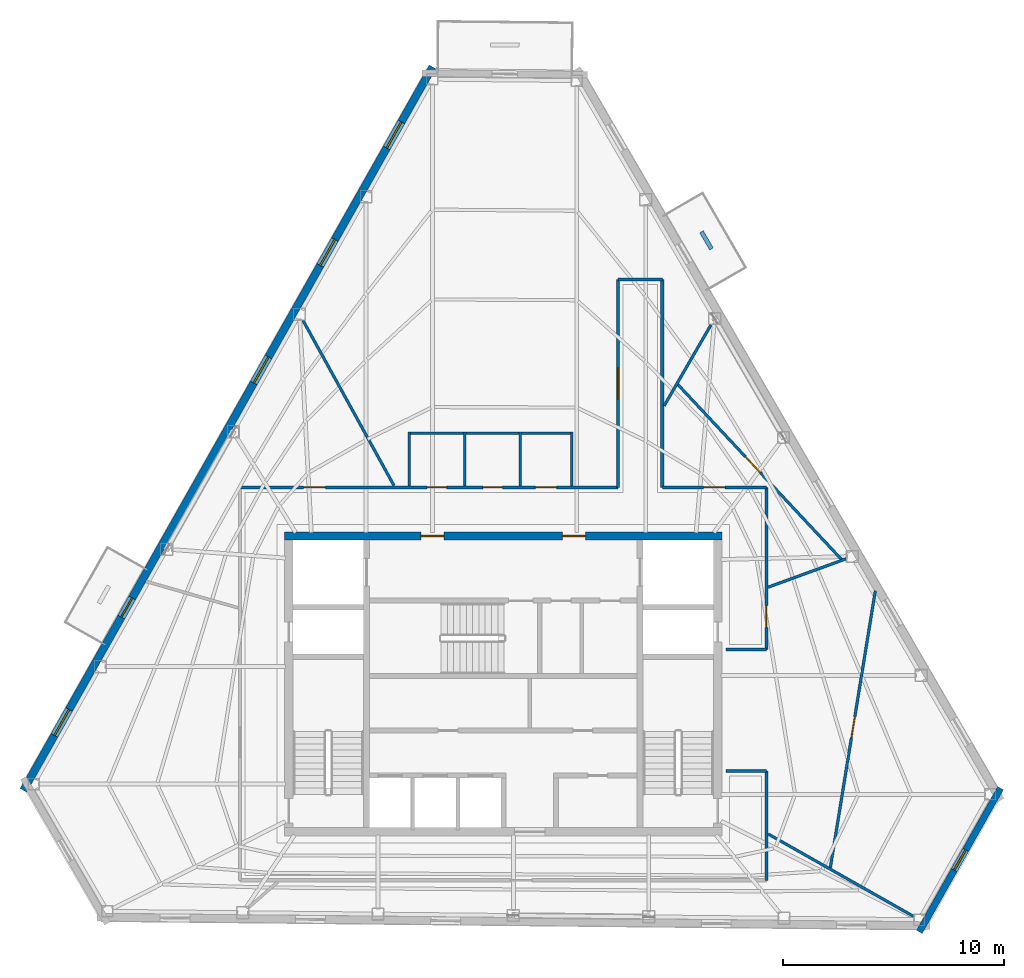
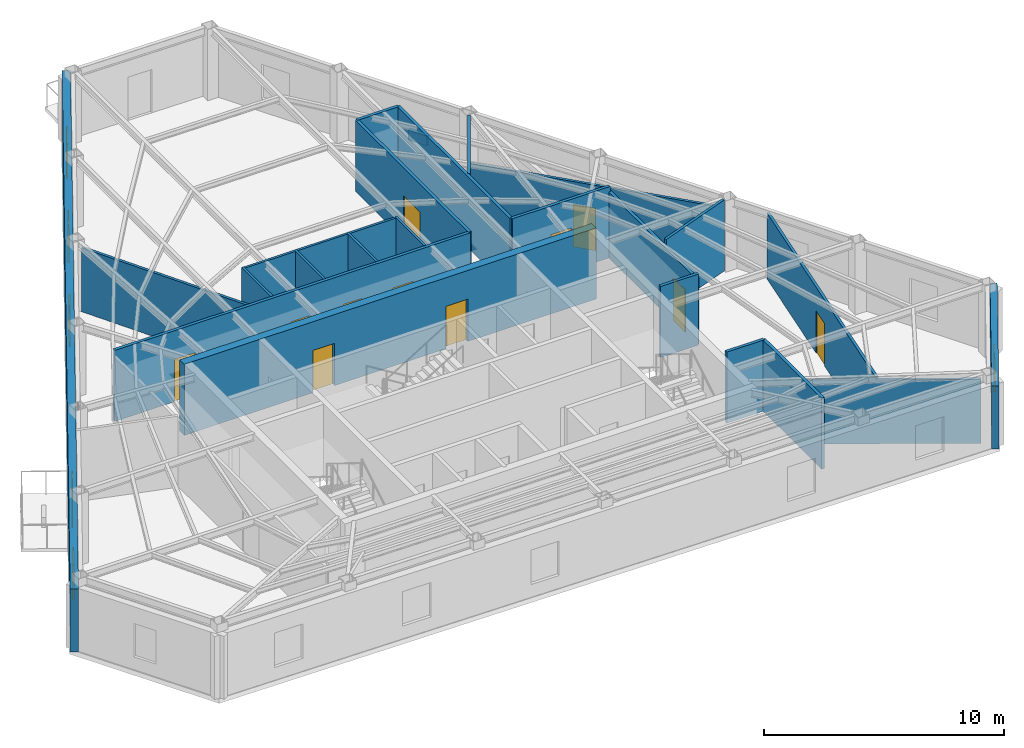
# One storey, part 6 of 10: 24 walls, 12 doors, 5 windows, 17 openings.
"""IFC4 building model written with IfcOpenShell, lengths in metres."""

from ifc_helpers import new_model, si_unit, direction, frame, frame_2d, origin, place, context, subcontext, project, spatial, rectangle, extrude, material, layer, layer_set, type_object, element, fill, save


model = new_model("IFC4")

# Units and contexts
model_context = context("Model", 3, precision=1e-05, world=origin(), true_north=direction((0.0, 1.0)))
body_context = subcontext(model_context, "Body", "Model", "MODEL_VIEW")
ifc_project = project(units=[si_unit("LENGTHUNIT", "METRE"), si_unit("AREAUNIT", "SQUARE_METRE"), si_unit("VOLUMEUNIT", "CUBIC_METRE"), si_unit("PLANEANGLEUNIT", "RADIAN"), si_unit("MASSUNIT", "GRAM", prefix="KILO")], contexts=[model_context])

# Site, building, storey
site_placement = place(None, origin())
site = spatial("IfcSite", under=ifc_project, at=site_placement, CompositionType="ELEMENT")
building_placement = place(site_placement, origin())
building = spatial("IfcBuilding", under=site, at=building_placement, Name="Kavelnor Concourse Tower", CompositionType="ELEMENT")
storey_placement = place(building_placement, frame((0.0, 0.0, 247.199951171875)))
storey = spatial("IfcBuildingStorey", under=building, at=storey_placement, Name="L62", CompositionType="ELEMENT", Elevation=247.199951171875)

# Wall, openings, doors
ifc_material_1 = material(Name="Concrete C50/60", Category="concrete")
ifc_layer_1 = layer(ifc_material_1, 0.3798828125, Name="Concrete C50/60")
ifc_layer_set_1 = layer_set([ifc_layer_1], Name="Concrete C50/60")
wall_type_1 = type_object("IfcWallType", Name="WL-CORE-Z4-380", PredefinedType="SOLIDWALL", material=ifc_layer_set_1)
wall_1_placement = place(storey_placement, frame((28.10009765625, 22.7900390625, 0.0), z_axis=(0.0, 0.0, 1.0), x_axis=(1.0, 0.0, 0.0)))
wall_1 = element("IfcWall", 1, at=wall_1_placement, inside=storey, type_object=wall_type_1, Name="L62 Central Core North Shear Wall", PredefinedType="SOLIDWALL", context=body_context, shape_type="SweptSolid", body=[
    extrude(rectangle(XDim=19.7998046875, YDim=0.3798828125, at=frame_2d((9.89990234375, 0.0))), origin(), (0.0, 0.0, 1.0), 3.610107421875),
])
opening_1_placement = place(wall_1_placement, frame((6.175048828125, 0.0, 0.0)))
opening_1 = element("IfcOpeningElement", 2, at=opening_1_placement, cuts=wall_1, Name="Opening FD-105", PredefinedType="OPENING", context=body_context, shape_type="SweptSolid", body=[
    extrude(rectangle(XDim=1.050048828125, YDim=2.14990234375, at=frame_2d((0.52490234375, 1.074951171875))), frame((0.0, 0.199951171875, 0.0), z_axis=(0.0, -1.0, 0.0), x_axis=(1.0, 0.0, 0.0)), (0.0, 0.0, 1.0), 0.39990234375),
])
opening_2_placement = place(wall_1_placement, frame((12.574951171875, 0.0, 0.0)))
opening_2 = element("IfcOpeningElement", 3, at=opening_2_placement, cuts=wall_1, Name="Opening FD-105", PredefinedType="OPENING", context=body_context, shape_type="SweptSolid", body=[
    extrude(rectangle(XDim=1.050048828125, YDim=2.14990234375, at=frame_2d((0.52490234375, 1.074951171875))), frame((0.0, 0.199951171875, 0.0), z_axis=(0.0, -1.0, 0.0), x_axis=(1.0, 0.0, 0.0)), (0.0, 0.0, 1.0), 0.39990234375),
])
ifc_material_2 = material(Name="Steel Grade 350", Category="steel")
door_type_1 = type_object("IfcDoorType", Name="DR-LOBBY-FIRE-1050", OperationType="NOTDEFINED", PredefinedType="DOOR", material=ifc_material_2)
door_1_placement = place(opening_1_placement, origin())
door_1 = element("IfcDoor", 4, at=door_1_placement, inside=storey, type_object=door_type_1, Name="L62 Emergency Lift Lobby West Door", OperationType="SINGLE_SWING_LEFT", OverallHeight=2.14990234375, OverallWidth=1.050048828125, PredefinedType="DOOR", context=body_context, shape_type="SweptSolid", body=[
    extrude(rectangle(XDim=1.050048828125, YDim=2.14990234375, at=frame_2d((0.52490234375, 1.074951171875))), frame((0.0, 0.02490234375, 0.0), z_axis=(0.0, -1.0, 0.0), x_axis=(1.0, 0.0, 0.0)), (0.0, 0.0, 1.0), 0.050048828125),
])
fill(opening_1, door_1)
door_2_placement = place(opening_2_placement, origin())
door_2 = element("IfcDoor", 5, at=door_2_placement, inside=storey, type_object=door_type_1, Name="L62 Emergency Lift Lobby East Door", OperationType="SINGLE_SWING_RIGHT", OverallHeight=2.14990234375, OverallWidth=1.050048828125, PredefinedType="DOOR", context=body_context, shape_type="SweptSolid", body=[
    extrude(rectangle(XDim=1.050048828125, YDim=2.14990234375, at=frame_2d((0.52490234375, 1.074951171875))), frame((0.0, 0.02490234375, 0.0), z_axis=(0.0, -1.0, 0.0), x_axis=(1.0, 0.0, 0.0)), (0.0, 0.0, 1.0), 0.050048828125),
])
fill(opening_2, door_2)

# Wall, opening, window
ifc_material_3 = material(Name="Buff ironspot clay face brick masonry", Category="masonry")
ifc_layer_2 = layer(ifc_material_3, 0.300048828125, Name="Buff ironspot clay face brick masonry")
ifc_layer_set_2 = layer_set([ifc_layer_2], Name="Buff ironspot clay face brick masonry")
wall_type_2 = type_object("IfcWallType", Name="WL-EXT-BUFF-BRICK-FOLD-300", PredefinedType="STANDARD", material=ifc_layer_set_2)
wall_2_placement = place(storey_placement, frame((60.509765625, 11.379150390625, 0.0), z_axis=(0.0, 0.0, 1.0), x_axis=(-0.492274685031, -0.870439908597, 0.0)))
wall_2 = element("IfcWall", 6, at=wall_2_placement, inside=storey, type_object=wall_type_2, Name="L62 Exterior Brick Facade Wall E4", PredefinedType="STANDARD", context=body_context, shape_type="SweptSolid", body=[
    extrude(rectangle(XDim=7.473388671875, YDim=0.300048828125, at=frame_2d((3.73681640625, 0.0))), origin(), (0.0, 0.0, 1.0), 3.196044921875),
])
opening_3_placement = place(wall_2_placement, frame((3.211669921875, 0.0, 0.64990234375)))
opening_3 = element("IfcOpeningElement", 7, at=opening_3_placement, cuts=wall_2, Name="Opening W-06", PredefinedType="OPENING", context=body_context, shape_type="SweptSolid", body=[
    extrude(rectangle(XDim=1.050048828125, YDim=1.699951171875, at=frame_2d((0.52490234375, 0.85009765625))), frame((0.0, 0.16015625, 0.0), z_axis=(0.0, -1.0, 0.0), x_axis=(1.0, 0.0, 0.0)), (0.0, 0.0, 1.0), 0.320068359375),
])
ifc_material_4 = material(Name="Double low-E argon insulated glazing", Category="glass")
window_type_1 = type_object("IfcWindowType", Name="WIN-FOLD-1050", PartitioningType="SINGLE_PANEL", PredefinedType="WINDOW", material=ifc_material_4)
window_1_placement = place(opening_3_placement, origin())
window_1 = element("IfcWindow", 8, at=window_1_placement, inside=storey, type_object=window_type_1, Name="L62 Chamfer-Fold Facet Window C2", OverallHeight=1.699951171875, OverallWidth=1.050048828125, PartitioningType="SINGLE_PANEL", PredefinedType="WINDOW", context=body_context, shape_type="SweptSolid", body=[
    extrude(rectangle(XDim=1.050048828125, YDim=1.699951171875, at=frame_2d((0.52490234375, 0.85009765625))), frame((0.0, 0.030029296875, 0.0), z_axis=(0.0, -1.0, 0.0), x_axis=(1.0, 0.0, 0.0)), (0.0, 0.0, 1.0), 0.06005859375),
])
fill(opening_3, window_1)

# Wall, openings, door, windows
ifc_material_5 = material(Name="Red-ochre clay face brick masonry", Category="masonry")
ifc_layer_3 = layer(ifc_material_5, 0.35009765625, Name="Red-ochre clay face brick masonry")
ifc_layer_set_3 = layer_set([ifc_layer_3], Name="Red-ochre clay face brick masonry")
wall_type_3 = type_object("IfcWallType", Name="WL-EXT-RED-BRICK-PIER-350", PredefinedType="STANDARD", material=ifc_layer_set_3)
wall_3_placement = place(storey_placement, frame((16.281982421875, 11.28125, 0.0), z_axis=(0.0, 0.0, 1.0), x_axis=(0.492304911919, 0.870422813178, 0.0)))
wall_3 = element("IfcWall", 9, at=wall_3_placement, inside=storey, type_object=wall_type_3, Name="L62 Exterior Brick Facade Wall E1", PredefinedType="STANDARD", context=body_context, shape_type="SweptSolid", body=[
    extrude(rectangle(XDim=37.613037109375, YDim=0.35009765625, at=frame_2d((18.806640625, 0.0))), origin(), (0.0, 0.0, 1.0), 3.196044921875),
])
opening_4_placement = place(wall_3_placement, frame((9.00341796875, 0.0, 0.0)))
opening_4 = element("IfcOpeningElement", 10, at=opening_4_placement, cuts=wall_3, Name="Opening BD-100", PredefinedType="OPENING", context=body_context, shape_type="SweptSolid", body=[
    extrude(rectangle(XDim=1.0, YDim=2.199951171875, at=frame_2d((0.5, 1.10009765625))), frame((0.0, 0.18505859375, 0.0), z_axis=(0.0, -1.0, 0.0), x_axis=(1.0, 0.0, 0.0)), (0.0, 0.0, 1.0), 0.3701171875),
])
opening_5_placement = place(wall_3_placement, frame((33.400146484375, 0.0, 0.64990234375)))
opening_5 = element("IfcOpeningElement", 11, at=opening_5_placement, cuts=wall_3, Name="Opening W-04", PredefinedType="OPENING", context=body_context, shape_type="SweptSolid", body=[
    extrude(rectangle(XDim=1.35009765625, YDim=1.75, at=frame_2d((0.675048828125, 0.875))), frame((0.0, 0.18505859375, 0.0), z_axis=(0.0, -1.0, 0.0), x_axis=(1.0, 0.0, 0.0)), (0.0, 0.0, 1.0), 0.3701171875),
])
opening_6_placement = place(wall_3_placement, frame((27.291015625, 0.0, 0.64990234375)))
opening_6 = element("IfcOpeningElement", 12, at=opening_6_placement, cuts=wall_3, Name="Opening W-04", PredefinedType="OPENING", context=body_context, shape_type="SweptSolid", body=[
    extrude(rectangle(XDim=1.35009765625, YDim=1.75, at=frame_2d((0.675048828125, 0.875))), frame((0.0, 0.18505859375, 0.0), z_axis=(0.0, -1.0, 0.0), x_axis=(1.0, 0.0, 0.0)), (0.0, 0.0, 1.0), 0.3701171875),
])
opening_7_placement = place(wall_3_placement, frame((21.181884765625, 0.0, 0.64990234375)))
opening_7 = element("IfcOpeningElement", 13, at=opening_7_placement, cuts=wall_3, Name="Opening W-04", PredefinedType="OPENING", context=body_context, shape_type="SweptSolid", body=[
    extrude(rectangle(XDim=1.35009765625, YDim=1.75, at=frame_2d((0.675048828125, 0.875))), frame((0.0, 0.18505859375, 0.0), z_axis=(0.0, -1.0, 0.0), x_axis=(1.0, 0.0, 0.0)), (0.0, 0.0, 1.0), 0.3701171875),
])
opening_8_placement = place(wall_3_placement, frame((2.8544921875, 0.0, 0.64990234375)))
opening_8 = element("IfcOpeningElement", 14, at=opening_8_placement, cuts=wall_3, Name="Opening W-04", PredefinedType="OPENING", context=body_context, shape_type="SweptSolid", body=[
    extrude(rectangle(XDim=1.35009765625, YDim=1.75, at=frame_2d((0.675048828125, 0.875))), frame((0.0, 0.18505859375, 0.0), z_axis=(0.0, -1.0, 0.0), x_axis=(1.0, 0.0, 0.0)), (0.0, 0.0, 1.0), 0.3701171875),
])
ifc_material_6 = material(Name="Anodised aluminium 6063-T6", Category="aluminium")
door_type_2 = type_object("IfcDoorType", Name="DR-BALCONY-EXT-1000", OperationType="NOTDEFINED", PredefinedType="DOOR", material=ifc_material_6)
door_3_placement = place(opening_4_placement, origin())
door_3 = element("IfcDoor", 15, at=door_3_placement, inside=storey, type_object=door_type_2, Name="L62 Tree Balcony 2 Glazed Door", OperationType="SINGLE_SWING_RIGHT", OverallHeight=2.199951171875, OverallWidth=1.0, PredefinedType="DOOR", context=body_context, shape_type="SweptSolid", body=[
    extrude(rectangle(XDim=1.0, YDim=2.199951171875, at=frame_2d((0.5, 1.10009765625))), frame((0.0, 0.02490234375, 0.0), z_axis=(0.0, -1.0, 0.0), x_axis=(1.0, 0.0, 0.0)), (0.0, 0.0, 1.0), 0.050048828125),
])
fill(opening_4, door_3)
window_type_2 = type_object("IfcWindowType", Name="WIN-PIER-Z4-1350", PartitioningType="SINGLE_PANEL", PredefinedType="WINDOW", material=ifc_material_4)
window_2_placement = place(opening_5_placement, origin())
window_2 = element("IfcWindow", 16, at=window_2_placement, inside=storey, type_object=window_type_2, Name="L62 Deep-Set Brick Pier Window F0-B0", OverallHeight=1.75, OverallWidth=1.35009765625, PartitioningType="SINGLE_PANEL", PredefinedType="WINDOW", context=body_context, shape_type="SweptSolid", body=[
    extrude(rectangle(XDim=1.35009765625, YDim=1.75, at=frame_2d((0.675048828125, 0.875))), frame((0.0, 0.030029296875, 0.0), z_axis=(0.0, -1.0, 0.0), x_axis=(1.0, 0.0, 0.0)), (0.0, 0.0, 1.0), 0.06005859375),
])
fill(opening_5, window_2)
window_3_placement = place(opening_6_placement, origin())
window_3 = element("IfcWindow", 17, at=window_3_placement, inside=storey, type_object=window_type_2, Name="L62 Deep-Set Brick Pier Window F0-B1", OverallHeight=1.75, OverallWidth=1.35009765625, PartitioningType="SINGLE_PANEL", PredefinedType="WINDOW", context=body_context, shape_type="SweptSolid", body=[
    extrude(rectangle(XDim=1.35009765625, YDim=1.75, at=frame_2d((0.675048828125, 0.875))), frame((0.0, 0.030029296875, 0.0), z_axis=(0.0, -1.0, 0.0), x_axis=(1.0, 0.0, 0.0)), (0.0, 0.0, 1.0), 0.06005859375),
])
fill(opening_6, window_3)
window_4_placement = place(opening_7_placement, origin())
window_4 = element("IfcWindow", 18, at=window_4_placement, inside=storey, type_object=window_type_2, Name="L62 Deep-Set Brick Pier Window F0-B2", OverallHeight=1.75, OverallWidth=1.35009765625, PartitioningType="SINGLE_PANEL", PredefinedType="WINDOW", context=body_context, shape_type="SweptSolid", body=[
    extrude(rectangle(XDim=1.35009765625, YDim=1.75, at=frame_2d((0.675048828125, 0.875))), frame((0.0, 0.030029296875, 0.0), z_axis=(0.0, -1.0, 0.0), x_axis=(1.0, 0.0, 0.0)), (0.0, 0.0, 1.0), 0.06005859375),
])
fill(opening_7, window_4)
window_5_placement = place(opening_8_placement, origin())
window_5 = element("IfcWindow", 19, at=window_5_placement, inside=storey, type_object=window_type_2, Name="L62 Deep-Set Brick Pier Window F0-B5", OverallHeight=1.75, OverallWidth=1.35009765625, PartitioningType="SINGLE_PANEL", PredefinedType="WINDOW", context=body_context, shape_type="SweptSolid", body=[
    extrude(rectangle(XDim=1.35009765625, YDim=1.75, at=frame_2d((0.675048828125, 0.875))), frame((0.0, 0.030029296875, 0.0), z_axis=(0.0, -1.0, 0.0), x_axis=(1.0, 0.0, 0.0)), (0.0, 0.0, 1.0), 0.06005859375),
])
fill(opening_8, window_5)

# Wall, opening, door
ifc_material_7 = material(Name="Gypsum plasterboard on light-gauge steel studs", Category="steel")
ifc_layer_4 = layer(ifc_material_7, 0.14501953125, Name="Gypsum plasterboard on light-gauge steel studs")
ifc_layer_set_4 = layer_set([ifc_layer_4], Name="Gypsum plasterboard on light-gauge steel studs")
wall_type_4 = type_object("IfcWallType", Name="WL-INT-CORR-145", PredefinedType="PARTITIONING", material=ifc_layer_set_4)
wall_4_placement = place(storey_placement, frame((43.199951171875, 24.989990234375, 0.0), z_axis=(0.0, 0.0, 1.0), x_axis=(0.0, 1.0, 0.0)))
wall_4 = element("IfcWall", 20, at=wall_4_placement, inside=storey, type_object=wall_type_4, Name="L62 Corridor Wall WL-L62-CR-01", PredefinedType="PARTITIONING", context=body_context, shape_type="SweptSolid", body=[
    extrude(rectangle(XDim=9.409912109375, YDim=0.14501953125, at=frame_2d((4.705078125, 0.0))), origin(), (0.0, 0.0, 1.0), 3.610107421875),
])
opening_9_placement = place(wall_4_placement, frame((4.0048828125, 0.0, 0.0)))
opening_9 = element("IfcOpeningElement", 21, at=opening_9_placement, cuts=wall_4, Name="Opening SD-140", PredefinedType="OPENING", context=body_context, shape_type="SweptSolid", body=[
    extrude(rectangle(XDim=1.39990234375, YDim=2.199951171875, at=frame_2d((0.699951171875, 1.10009765625))), frame((0.0, 0.08251953125, 0.0), z_axis=(0.0, -1.0, 0.0), x_axis=(1.0, 0.0, 0.0)), (0.0, 0.0, 1.0), 0.1650390625),
])
ifc_material_8 = material(Name="Solid-core hardwood timber", Category="wood")
door_type_3 = type_object("IfcDoorType", Name="DR-SUITE-ENTRY-1400", OperationType="NOTDEFINED", PredefinedType="DOOR", material=ifc_material_8)
door_4_placement = place(opening_9_placement, origin())
door_4 = element("IfcDoor", 22, at=door_4_placement, inside=storey, type_object=door_type_3, Name="L62 Staff Breakout Pantry 03 Door", OperationType="SINGLE_SWING_RIGHT", OverallHeight=2.199951171875, OverallWidth=1.39990234375, PredefinedType="DOOR", context=body_context, shape_type="SweptSolid", body=[
    extrude(rectangle(XDim=1.39990234375, YDim=2.199951171875, at=frame_2d((0.699951171875, 1.10009765625))), frame((0.0, 0.02490234375, 0.0), z_axis=(0.0, -1.0, 0.0), x_axis=(1.0, 0.0, 0.0)), (0.0, 0.0, 1.0), 0.050048828125),
])
fill(opening_9, door_4)

# Walls
wall_5_placement = place(storey_placement, frame((43.199951171875, 34.39990234375, 0.0), z_axis=(0.0, 0.0, 1.0), x_axis=(1.0, 0.0, 0.0)))
element("IfcWall", 23, at=wall_5_placement, inside=storey, type_object=wall_type_4, Name="L62 Corridor Wall WL-L62-CR-02", PredefinedType="PARTITIONING", context=body_context, shape_type="SweptSolid", body=[
    extrude(rectangle(XDim=2.0, YDim=0.14501953125, at=frame_2d((1.0, 0.0))), origin(), (0.0, 0.0, 1.0), 3.610107421875),
])
wall_6_placement = place(storey_placement, frame((45.199951171875, 34.39990234375, 0.0), z_axis=(0.0, 0.0, 1.0), x_axis=(0.0, -1.0, 0.0)))
element("IfcWall", 24, at=wall_6_placement, inside=storey, type_object=wall_type_4, Name="L62 Corridor Wall WL-L62-CR-03", PredefinedType="PARTITIONING", context=body_context, shape_type="SweptSolid", body=[
    extrude(rectangle(XDim=9.409912109375, YDim=0.14501953125, at=frame_2d((4.705078125, 0.0))), origin(), (0.0, 0.0, 1.0), 3.610107421875),
])

# Wall, opening, door
wall_7_placement = place(storey_placement, frame((45.199951171875, 24.989990234375, 0.0), z_axis=(0.0, 0.0, 1.0), x_axis=(1.0, 0.0, 0.0)))
wall_7 = element("IfcWall", 25, at=wall_7_placement, inside=storey, type_object=wall_type_4, Name="L62 Corridor Wall WL-L62-CR-04", PredefinedType="PARTITIONING", context=body_context, shape_type="SweptSolid", body=[
    extrude(rectangle(XDim=4.7099609375, YDim=0.14501953125, at=frame_2d((2.35498046875, 0.0))), origin(), (0.0, 0.0, 1.0), 3.610107421875),
])
opening_10_placement = place(wall_7_placement, frame((1.864990234375, 0.0, 0.0)))
opening_10 = element("IfcOpeningElement", 26, at=opening_10_placement, cuts=wall_7, Name="Opening OD-098", PredefinedType="OPENING", context=body_context, shape_type="SweptSolid", body=[
    extrude(rectangle(XDim=0.97998046875, YDim=2.14990234375, at=frame_2d((0.489990234375, 1.074951171875))), frame((0.0, 0.08251953125, 0.0), z_axis=(0.0, -1.0, 0.0), x_axis=(1.0, 0.0, 0.0)), (0.0, 0.0, 1.0), 0.1650390625),
])
door_type_4 = type_object("IfcDoorType", Name="DR-OFFICE-980", OperationType="NOTDEFINED", PredefinedType="DOOR", material=ifc_material_8)
door_5_placement = place(opening_10_placement, origin())
door_5 = element("IfcDoor", 27, at=door_5_placement, inside=storey, type_object=door_type_4, Name="L62 Architectural Design Studio 01 Door", OperationType="SINGLE_SWING_RIGHT", OverallHeight=2.14990234375, OverallWidth=0.97998046875, PredefinedType="DOOR", context=body_context, shape_type="SweptSolid", body=[
    extrude(rectangle(XDim=0.97998046875, YDim=2.14990234375, at=frame_2d((0.489990234375, 1.074951171875))), frame((0.0, 0.02490234375, 0.0), z_axis=(0.0, -1.0, 0.0), x_axis=(1.0, 0.0, 0.0)), (0.0, 0.0, 1.0), 0.050048828125),
])
fill(opening_10, door_5)

wall_8_placement = place(storey_placement, frame((49.909912109375, 24.989990234375, 0.0), z_axis=(0.0, 0.0, 1.0), x_axis=(0.0, -1.0, 0.0)))
wall_8 = element("IfcWall", 28, at=wall_8_placement, inside=storey, type_object=wall_type_4, Name="L62 Corridor Wall WL-L62-CR-05", PredefinedType="PARTITIONING", context=body_context, shape_type="SweptSolid", body=[
    extrude(rectangle(XDim=7.340087890625, YDim=0.14501953125, at=frame_2d((3.669921875, 0.0))), origin(), (0.0, 0.0, 1.0), 3.34912109375),
])
opening_11_placement = place(wall_8_placement, frame((5.35400390625, 0.0, 0.0)))
opening_11 = element("IfcOpeningElement", 29, at=opening_11_placement, cuts=wall_8, Name="Opening OD-098", PredefinedType="OPENING", context=body_context, shape_type="SweptSolid", body=[
    extrude(rectangle(XDim=0.97998046875, YDim=2.14990234375, at=frame_2d((0.489990234375, 1.074951171875))), frame((0.0, 0.08251953125, 0.0), z_axis=(0.0, -1.0, 0.0), x_axis=(1.0, 0.0, 0.0)), (0.0, 0.0, 1.0), 0.1650390625),
])
door_6_placement = place(opening_11_placement, origin())
door_6 = element("IfcDoor", 30, at=door_6_placement, inside=storey, type_object=door_type_4, Name="L62 Tenant Bookstore Retail Shop 07 Door", OperationType="SINGLE_SWING_RIGHT", OverallHeight=2.14990234375, OverallWidth=0.97998046875, PredefinedType="DOOR", context=body_context, shape_type="SweptSolid", body=[
    extrude(rectangle(XDim=0.97998046875, YDim=2.14990234375, at=frame_2d((0.489990234375, 1.074951171875))), frame((0.0, 0.02490234375, 0.0), z_axis=(0.0, -1.0, 0.0), x_axis=(1.0, 0.0, 0.0)), (0.0, 0.0, 1.0), 0.050048828125),
])
fill(opening_11, door_6)

# Walls
for number, where, z_axis, x_axis, name in (
    (31, (49.909912109375, 17.64990234375, 0.0), (0.0, 0.0, 1.0), (-1.0, 0.0, 0.0), "L62 Corridor Wall WL-L62-CR-06"),
    (32, (48.090087890625, 12.14990234375, 0.0), (0.0, 0.0, 1.0), (1.0, 0.0, 0.0), "L62 Corridor Wall WL-L62-CR-07"),
):
    element("IfcWall", number, at=place(storey_placement, frame(where, z_axis=z_axis, x_axis=x_axis)), inside=storey, type_object=wall_type_4, Name=name, PredefinedType="PARTITIONING", context=body_context, shape_type="SweptSolid", body=[
        extrude(rectangle(XDim=1.81982421875, YDim=0.14501953125, at=frame_2d((0.909912109375, 0.0))), origin(), (0.0, 0.0, 1.0), 3.610107421875),
    ])
wall_9_placement = place(storey_placement, frame((49.909912109375, 12.14990234375, 0.0), z_axis=(0.0, 0.0, 1.0), x_axis=(0.0, -1.0, 0.0)))
element("IfcWall", 33, at=wall_9_placement, inside=storey, type_object=wall_type_4, Name="L62 Corridor Wall WL-L62-CR-08", PredefinedType="PARTITIONING", context=body_context, shape_type="SweptSolid", body=[
    extrude(rectangle(XDim=4.93994140625, YDim=0.14501953125, at=frame_2d((2.469970703125, 0.0))), origin(), (0.0, 0.0, 1.0), 3.610107421875),
])

# Wall, openings, doors
wall_10_placement = place(storey_placement, frame((26.090087890625, 24.989990234375, 0.0), z_axis=(0.0, 0.0, 1.0), x_axis=(1.0, 0.0, 0.0)))
wall_10 = element("IfcWall", 34, at=wall_10_placement, inside=storey, type_object=wall_type_4, Name="L62 Corridor Wall WL-L62-CR-11", PredefinedType="PARTITIONING", context=body_context, shape_type="SweptSolid", body=[
    extrude(rectangle(XDim=17.10986328125, YDim=0.14501953125, at=frame_2d((8.554931640625, 0.0))), origin(), (0.0, 0.0, 1.0), 3.610107421875),
])
opening_12_placement = place(wall_10_placement, frame((8.469970703125, 0.0, 0.0)))
opening_12 = element("IfcOpeningElement", 35, at=opening_12_placement, cuts=wall_10, Name="Opening WD-088", PredefinedType="OPENING", context=body_context, shape_type="SweptSolid", body=[
    extrude(rectangle(XDim=0.8798828125, YDim=2.10009765625, at=frame_2d((0.43994140625, 1.050048828125))), frame((0.0, 0.08251953125, 0.0), z_axis=(0.0, -1.0, 0.0), x_axis=(1.0, 0.0, 0.0)), (0.0, 0.0, 1.0), 0.1650390625),
])
opening_13_placement = place(wall_10_placement, frame((10.989990234375, 0.0, 0.0)))
opening_13 = element("IfcOpeningElement", 36, at=opening_13_placement, cuts=wall_10, Name="Opening WD-088", PredefinedType="OPENING", context=body_context, shape_type="SweptSolid", body=[
    extrude(rectangle(XDim=0.8798828125, YDim=2.10009765625, at=frame_2d((0.43994140625, 1.050048828125))), frame((0.0, 0.08251953125, 0.0), z_axis=(0.0, -1.0, 0.0), x_axis=(1.0, 0.0, 0.0)), (0.0, 0.0, 1.0), 0.1650390625),
])
opening_14_placement = place(wall_10_placement, frame((13.3701171875, 0.0, 0.0)))
opening_14 = element("IfcOpeningElement", 37, at=opening_14_placement, cuts=wall_10, Name="Opening WD-096", PredefinedType="OPENING", context=body_context, shape_type="SweptSolid", body=[
    extrude(rectangle(XDim=0.9599609375, YDim=2.10009765625, at=frame_2d((0.47998046875, 1.050048828125))), frame((0.0, 0.08251953125, 0.0), z_axis=(0.0, -1.0, 0.0), x_axis=(1.0, 0.0, 0.0)), (0.0, 0.0, 1.0), 0.1650390625),
])
opening_15_placement = place(wall_10_placement, frame((2.87744140625, 0.0, 0.0)))
opening_15 = element("IfcOpeningElement", 38, at=opening_15_placement, cuts=wall_10, Name="Opening OD-098", PredefinedType="OPENING", context=body_context, shape_type="SweptSolid", body=[
    extrude(rectangle(XDim=0.97998046875, YDim=2.14990234375, at=frame_2d((0.489990234375, 1.074951171875))), frame((0.0, 0.08251953125, 0.0), z_axis=(0.0, -1.0, 0.0), x_axis=(1.0, 0.0, 0.0)), (0.0, 0.0, 1.0), 0.1650390625),
])
door_7_placement = place(opening_15_placement, origin())
door_7 = element("IfcDoor", 39, at=door_7_placement, inside=storey, type_object=door_type_4, Name="L62 Architectural Design Studio 04 Door", OperationType="SINGLE_SWING_LEFT", OverallHeight=2.14990234375, OverallWidth=0.97998046875, PredefinedType="DOOR", context=body_context, shape_type="SweptSolid", body=[
    extrude(rectangle(XDim=0.97998046875, YDim=2.14990234375, at=frame_2d((0.489990234375, 1.074951171875))), frame((0.0, 0.02490234375, 0.0), z_axis=(0.0, -1.0, 0.0), x_axis=(1.0, 0.0, 0.0)), (0.0, 0.0, 1.0), 0.050048828125),
])
fill(opening_15, door_7)
door_type_5 = type_object("IfcDoorType", Name="DR-WC-ACC-960", OperationType="NOTDEFINED", PredefinedType="DOOR", material=ifc_material_8)
door_8_placement = place(opening_14_placement, origin())
door_8 = element("IfcDoor", 40, at=door_8_placement, inside=storey, type_object=door_type_5, Name="L62 Accessible WC Door", OperationType="SINGLE_SWING_RIGHT", OverallHeight=2.10009765625, OverallWidth=0.9599609375, PredefinedType="DOOR", context=body_context, shape_type="SweptSolid", body=[
    extrude(rectangle(XDim=0.9599609375, YDim=2.10009765625, at=frame_2d((0.47998046875, 1.050048828125))), frame((0.0, 0.02490234375, 0.0), z_axis=(0.0, -1.0, 0.0), x_axis=(1.0, 0.0, 0.0)), (0.0, 0.0, 1.0), 0.050048828125),
])
fill(opening_14, door_8)
door_type_6 = type_object("IfcDoorType", Name="DR-WC-STD-880", OperationType="NOTDEFINED", PredefinedType="DOOR", material=ifc_material_8)
door_9_placement = place(opening_12_placement, origin())
door_9 = element("IfcDoor", 41, at=door_9_placement, inside=storey, type_object=door_type_6, Name="L62 Male WC Door", OperationType="SINGLE_SWING_RIGHT", OverallHeight=2.10009765625, OverallWidth=0.8798828125, PredefinedType="DOOR", context=body_context, shape_type="SweptSolid", body=[
    extrude(rectangle(XDim=0.8798828125, YDim=2.10009765625, at=frame_2d((0.43994140625, 1.050048828125))), frame((0.0, 0.02490234375, 0.0), z_axis=(0.0, -1.0, 0.0), x_axis=(1.0, 0.0, 0.0)), (0.0, 0.0, 1.0), 0.050048828125),
])
fill(opening_12, door_9)
door_10_placement = place(opening_13_placement, origin())
door_10 = element("IfcDoor", 42, at=door_10_placement, inside=storey, type_object=door_type_6, Name="L62 Female WC Door", OperationType="SINGLE_SWING_LEFT", OverallHeight=2.10009765625, OverallWidth=0.8798828125, PredefinedType="DOOR", context=body_context, shape_type="SweptSolid", body=[
    extrude(rectangle(XDim=0.8798828125, YDim=2.10009765625, at=frame_2d((0.43994140625, 1.050048828125))), frame((0.0, 0.02490234375, 0.0), z_axis=(0.0, -1.0, 0.0), x_axis=(1.0, 0.0, 0.0)), (0.0, 0.0, 1.0), 0.050048828125),
])
fill(opening_13, door_10)

# Walls
ifc_layer_5 = layer(ifc_material_7, 0.125, Name="Gypsum plasterboard on light-gauge steel studs")
ifc_layer_set_5 = layer_set([ifc_layer_5], Name="Gypsum plasterboard on light-gauge steel studs")
wall_type_5 = type_object("IfcWallType", Name="WL-INT-SUITE-125", PredefinedType="PARTITIONING", material=ifc_layer_set_5)
wall_11_placement = place(storey_placement, frame((49.990478515625, 20.474365234375, 0.0), z_axis=(0.0, 0.0, 1.0), x_axis=(0.939443445382, 0.342703972735, 0.0)))
element("IfcWall", 43, at=wall_11_placement, inside=storey, type_object=wall_type_5, Name="L62 Radial Suite Partition 01", PredefinedType="PARTITIONING", context=body_context, shape_type="SweptSolid", body=[
    extrude(rectangle(XDim=3.7529296875, YDim=0.125, at=frame_2d((1.87646484375, 0.0))), origin(), (0.0, 0.0, 1.0), 3.610107421875),
])
wall_12_placement = place(storey_placement, frame((45.280517578125, 28.68115234375, 0.0), z_axis=(0.0, 0.0, 1.0), x_axis=(0.500877108651, 0.8655184123, 0.0)))
element("IfcWall", 44, at=wall_12_placement, inside=storey, type_object=wall_type_5, Name="L62 Radial Suite Partition 02", PredefinedType="PARTITIONING", context=body_context, shape_type="SweptSolid", body=[
    extrude(rectangle(XDim=4.23291015625, YDim=0.125, at=frame_2d((2.116455078125, 0.0))), origin(), (0.0, 0.0, 1.0), 3.610107421875),
])
wall_13_placement = place(storey_placement, frame((33.057373046875, 25.070556640625, 0.0), z_axis=(0.0, 0.0, 1.0), x_axis=(-0.482588627841, 0.875847142074, 0.0)))
element("IfcWall", 45, at=wall_13_placement, inside=storey, type_object=wall_type_5, Name="L62 Radial Suite Partition 03", PredefinedType="PARTITIONING", context=body_context, shape_type="SweptSolid", body=[
    extrude(rectangle(XDim=8.532470703125, YDim=0.125, at=frame_2d((4.26611328125, 0.0))), origin(), (0.0, 0.0, 1.0), 3.24609375),
])
wall_14_placement = place(storey_placement, frame((49.990478515625, 9.305419921875, 0.0), z_axis=(0.0, 0.0, 1.0), x_axis=(0.870028652136, -0.49300116071, 0.0)))
element("IfcWall", 46, at=wall_14_placement, inside=storey, type_object=wall_type_5, Name="L62 Radial Suite Partition 06", PredefinedType="PARTITIONING", context=body_context, shape_type="SweptSolid", body=[
    extrude(rectangle(XDim=7.557373046875, YDim=0.125, at=frame_2d((3.77880859375, 0.0))), origin(), (0.0, 0.0, 1.0), 3.24609375),
])

# Wall, opening, door
wall_15_placement = place(storey_placement, frame((53.33056640625, 21.708984375, 0.0), z_axis=(0.0, 0.0, 1.0), x_axis=(-0.683203310533, 0.730228208491, 0.0)))
wall_15 = element("IfcWall", 47, at=wall_15_placement, inside=storey, type_object=wall_type_5, Name="L62 Suite Subdivision Partition 01", PredefinedType="PARTITIONING", context=body_context, shape_type="SweptSolid", body=[
    extrude(rectangle(XDim=10.9130859375, YDim=0.125, at=frame_2d((5.45654296875, 0.0))), origin(), (0.0, 0.0, 1.0), 3.34912109375),
])
opening_16_placement = place(wall_15_placement, frame((5.410888671875, 0.0, 0.0)))
opening_16 = element("IfcOpeningElement", 48, at=opening_16_placement, cuts=wall_15, Name="Opening OD-098", PredefinedType="OPENING", context=body_context, shape_type="SweptSolid", body=[
    extrude(rectangle(XDim=0.97998046875, YDim=2.14990234375, at=frame_2d((0.489990234375, 1.074951171875))), frame((0.0, 0.072509765625, 0.0), z_axis=(0.0, -1.0, 0.0), x_axis=(1.0, 0.0, 0.0)), (0.0, 0.0, 1.0), 0.14501953125),
])
door_11_placement = place(opening_16_placement, origin())
door_11 = element("IfcDoor", 49, at=door_11_placement, inside=storey, type_object=door_type_4, Name="L62 Building Staff Breakroom 02 Door", OperationType="SINGLE_SWING_LEFT", OverallHeight=2.14990234375, OverallWidth=0.97998046875, PredefinedType="DOOR", context=body_context, shape_type="SweptSolid", body=[
    extrude(rectangle(XDim=0.97998046875, YDim=2.14990234375, at=frame_2d((0.489990234375, 1.074951171875))), frame((0.0, 0.02490234375, 0.0), z_axis=(0.0, -1.0, 0.0), x_axis=(1.0, 0.0, 0.0)), (0.0, 0.0, 1.0), 0.050048828125),
])
fill(opening_16, door_11)

wall_16_placement = place(storey_placement, frame((52.795654296875, 7.733154296875, 0.0), z_axis=(0.0, 0.0, 1.0), x_axis=(0.160388372881, 0.987053985274, 0.0)))
wall_16 = element("IfcWall", 50, at=wall_16_placement, inside=storey, type_object=wall_type_5, Name="L62 Suite Subdivision Partition 06", PredefinedType="PARTITIONING", context=body_context, shape_type="SweptSolid", body=[
    extrude(rectangle(XDim=12.748291015625, YDim=0.125, at=frame_2d((6.3740234375, 0.0))), origin(), (0.0, 0.0, 1.0), 3.34912109375),
])
opening_17_placement = place(wall_16_placement, frame((5.994873046875, 0.0, 0.0)))
opening_17 = element("IfcOpeningElement", 51, at=opening_17_placement, cuts=wall_16, Name="Opening OD-098", PredefinedType="OPENING", context=body_context, shape_type="SweptSolid", body=[
    extrude(rectangle(XDim=0.97998046875, YDim=2.14990234375, at=frame_2d((0.489990234375, 1.074951171875))), frame((0.0, 0.072509765625, 0.0), z_axis=(0.0, -1.0, 0.0), x_axis=(1.0, 0.0, 0.0)), (0.0, 0.0, 1.0), 0.14501953125),
])
door_12_placement = place(opening_17_placement, origin())
door_12 = element("IfcDoor", 52, at=door_12_placement, inside=storey, type_object=door_type_4, Name="L62 Building Staff Breakroom 08 Door", OperationType="SINGLE_SWING_LEFT", OverallHeight=2.14990234375, OverallWidth=0.97998046875, PredefinedType="DOOR", context=body_context, shape_type="SweptSolid", body=[
    extrude(rectangle(XDim=0.97998046875, YDim=2.14990234375, at=frame_2d((0.489990234375, 1.074951171875))), frame((0.0, 0.02490234375, 0.0), z_axis=(0.0, -1.0, 0.0), x_axis=(1.0, 0.0, 0.0)), (0.0, 0.0, 1.0), 0.050048828125),
])
fill(opening_17, door_12)

# Walls
ifc_layer_6 = layer(ifc_material_7, 0.110107421875, Name="Gypsum plasterboard on light-gauge steel studs")
ifc_layer_set_6 = layer_set([ifc_layer_6], Name="Gypsum plasterboard on light-gauge steel studs")
wall_type_6 = type_object("IfcWallType", Name="WL-INT-WC-110", PredefinedType="PLUMBINGWALL", material=ifc_layer_set_6)
for number, where, z_axis, x_axis, name in (
    (53, (33.739990234375, 25.06005859375, 0.0), (0.0, 0.0, 1.0), (0.0, 1.0, 0.0), "L62 Sanitary Partition WL-L62-WC-W"),
    (54, (36.260009765625, 25.06005859375, 0.0), (0.0, 0.0, 1.0), (0.0, 1.0, 0.0), "L62 Sanitary Partition WL-L62-WC-D1"),
    (55, (38.780029296875, 25.06005859375, 0.0), (0.0, 0.0, 1.0), (0.0, 1.0, 0.0), "L62 Sanitary Partition WL-L62-WC-D2"),
    (56, (41.10009765625, 25.06005859375, 0.0), (0.0, 0.0, 1.0), (0.0, 1.0, 0.0), "L62 Sanitary Partition WL-L62-WC-E"),
):
    element("IfcWall", number, at=place(storey_placement, frame(where, z_axis=z_axis, x_axis=x_axis)), inside=storey, type_object=wall_type_6, Name=name, PredefinedType="PLUMBINGWALL", context=body_context, shape_type="SweptSolid", body=[
        extrude(rectangle(XDim=2.43994140625, YDim=0.110107421875, at=frame_2d((1.219970703125, 0.0))), origin(), (0.0, 0.0, 1.0), 3.610107421875),
    ])
wall_17_placement = place(storey_placement, frame((33.68994140625, 27.43994140625, 0.0), z_axis=(0.0, 0.0, 1.0), x_axis=(1.0, 0.0, 0.0)))
element("IfcWall", 57, at=wall_17_placement, inside=storey, type_object=wall_type_6, Name="L62 Sanitary Partition WL-L62-WC-N", PredefinedType="PLUMBINGWALL", context=body_context, shape_type="SweptSolid", body=[
    extrude(rectangle(XDim=7.4599609375, YDim=0.110107421875, at=frame_2d((3.72998046875, 0.0))), origin(), (0.0, 0.0, 1.0), 3.610107421875),
])
ifc_material_9 = material(Name="Architectural precast planter concrete C40/50", Category="concrete")
ifc_layer_7 = layer(ifc_material_9, 0.18994140625, Name="Architectural precast planter concrete C40/50")
ifc_layer_set_7 = layer_set([ifc_layer_7], Name="Architectural precast planter concrete C40/50")
wall_type_7 = type_object("IfcWallType", Name="WL-PLANTER-KERB-190", PredefinedType="USERDEFINED", material=ifc_layer_set_7)
wall_18_placement = place(storey_placement, frame((47.42431640625, 35.7822265625, 0.0), z_axis=(0.0, 0.0, 1.0), x_axis=(-0.501271486133, 0.865290065348, 0.0)))
element("IfcWall", 58, at=wall_18_placement, inside=storey, type_object=wall_type_7, Name="L62 Tree Balcony 1 Tree Planter Kerb", ObjectType="PLANTER", PredefinedType="USERDEFINED", context=body_context, shape_type="SweptSolid", body=[
    extrude(rectangle(XDim=0.900146484375, YDim=0.18994140625, at=frame_2d((0.4501953125, 0.0))), origin(), (0.0, 0.0, 1.0), 0.5),
])

save(model, "model.ifc")
